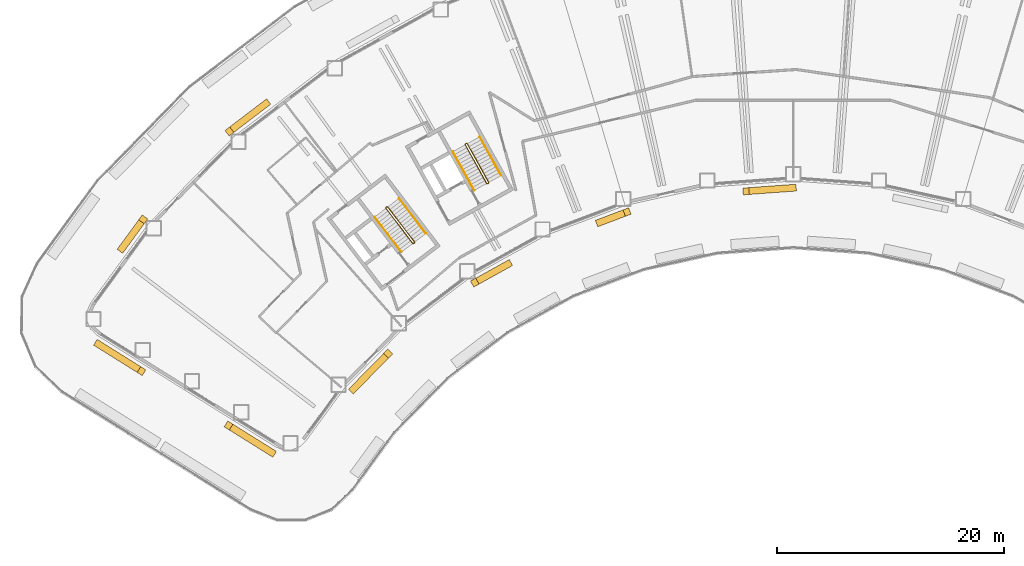
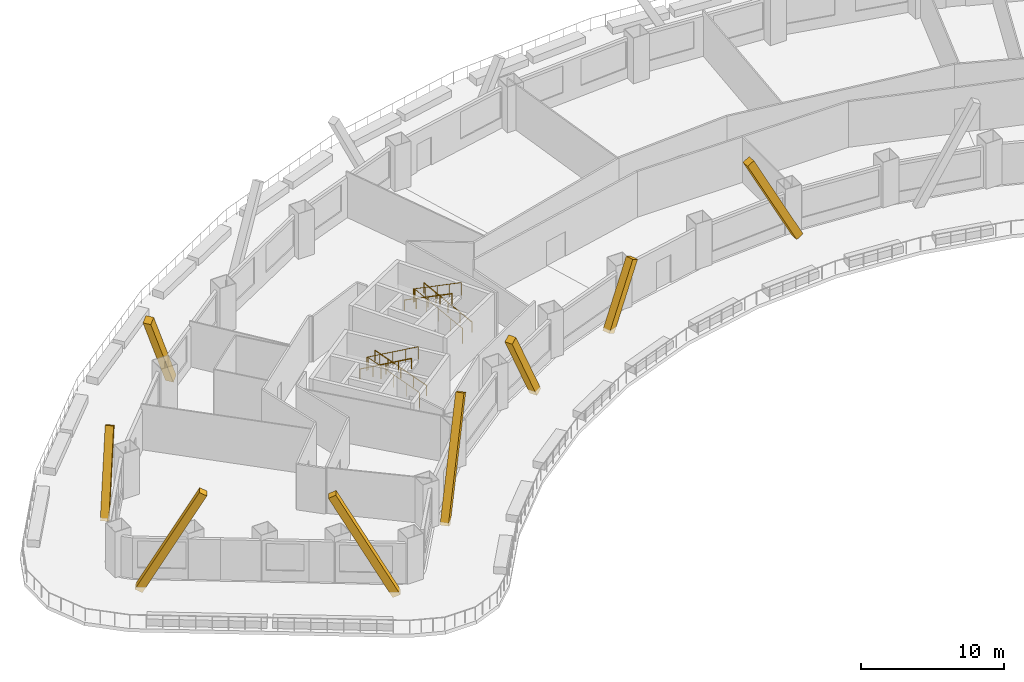
# One storey, part 10 of 12: 8 coverings, 6 railings.
"""IFC4 building model written with IfcOpenShell, lengths in metres."""

from ifc_helpers import new_model, si_unit, direction, frame, origin, origin_2d, place, context, subcontext, project, spatial, rectangle, circle, extrude, material, material_profile, profile_set, type_object, element, save


model = new_model("IFC4")

# Units and contexts
model_context = context("Model", 3, precision=1e-05, world=origin(), true_north=direction((0.0, 1.0)))
body_context = subcontext(model_context, "Body", "Model", "MODEL_VIEW")
ifc_project = project(units=[si_unit("LENGTHUNIT", "METRE"), si_unit("AREAUNIT", "SQUARE_METRE"), si_unit("VOLUMEUNIT", "CUBIC_METRE"), si_unit("PLANEANGLEUNIT", "RADIAN"), si_unit("MASSUNIT", "GRAM", prefix="KILO")], contexts=[model_context])

# Site, building, storey
site_placement = place(None, origin())
site = spatial("IfcSite", under=ifc_project, at=site_placement, CompositionType="ELEMENT")
building_placement = place(site_placement, origin())
building = spatial("IfcBuilding", under=site, at=building_placement, Name="Tuul Gate Civic Tower", CompositionType="ELEMENT")
storey_placement = place(building_placement, frame((0.0, 0.0, 31.5)))
storey = spatial("IfcBuildingStorey", under=building, at=storey_placement, Name="Level 06", CompositionType="ELEMENT", Elevation=31.5)

# Railings
ifc_material_1 = material(Name="Painted steel", Category="steel")
railing_type_1 = type_object("IfcRailingType", Name="Stair guard", PredefinedType="GUARDRAIL", material=ifc_material_1)
railing_1_placement = place(storey_placement, frame((-33.382080078125, -13.515380859375, 0.0)))
element("IfcRailing", 1, at=railing_1_placement, inside=storey, type_object=railing_type_1, Name="Level 06 ST-1 stair guard 1", PredefinedType="GUARDRAIL", context=body_context, shape_type="SweptSolid", body=[
    extrude(circle(Radius=0.02392578125, at=origin_2d()), frame((0.0, 0.0, 1.076171875), z_axis=(-0.795879841968, -0.605454603706, 0.0), x_axis=(0.605454603706, -0.795879841968, 0.0)), (0.0, 0.0, 1.0), 0.10009765625),
    extrude(circle(Radius=0.02392578125, at=origin_2d()), frame((-0.07958984375, -0.060546875, 1.076171875), z_axis=(0.408991890351, 0.599481263939, 0.688002796371), x_axis=(-0.826063974707, 0.563576356576, 0.0)), (0.0, 0.0, 1.0), 0.2177734375),
    extrude(circle(Radius=0.02392578125, at=origin_2d()), frame((0.009521484375, 0.070068359375, 1.22607421875), z_axis=(-0.541810893183, 0.711627203922, 0.44724454012), x_axis=(-0.795637165283, -0.60577347352, 0.0)), (0.0, 0.0, 1.0), 4.3603515625),
    extrude(circle(Radius=0.02392578125, at=origin_2d()), frame((-2.35302734375, 3.173095703125, 3.17626953125), z_axis=(-0.990893089246, 0.134650977284, 0.0), x_axis=(-0.134650977284, -0.990893089246, 0.0)), (0.0, 0.0, 1.0), 0.07080078125),
    extrude(circle(Radius=0.02392578125, at=origin_2d()), frame((-2.423095703125, 3.1826171875, 3.17626953125), z_axis=(-0.793802879778, -0.60817512943, 0.0), x_axis=(0.60817512943, -0.793802879778, 0.0)), (0.0, 0.0, 1.0), 0.099853515625),
    extrude(circle(Radius=0.02392578125, at=origin_2d()), frame((-2.50244140625, 3.121826171875, 3.17626953125), z_axis=(-0.057447065493, -0.422751481959, 0.904423031091), x_axis=(0.990893089246, -0.134650977284, 0.0)), (0.0, 0.0, 1.0), 0.165771484375),
    extrude(circle(Radius=0.02392578125, at=origin_2d()), frame((-2.511962890625, 3.0517578125, 3.326171875), z_axis=(0.541806494602, -0.71163897684, 0.447231136047), x_axis=(0.795644365679, 0.605764016233, 0.0)), (0.0, 0.0, 1.0), 4.360107421875),
    extrude(circle(Radius=0.02099609375, at=origin_2d()), origin(), (0.0, 0.0, 1.0), 1.052001953125),
    extrude(circle(Radius=0.02099609375, at=origin_2d()), frame((-0.07958984375, -0.060546875, 0.0)), (0.0, 0.0, 1.0), 1.052001953125),
    extrude(circle(Radius=0.02099609375, at=origin_2d()), frame((0.009521484375, 0.070068359375, 0.14990234375)), (0.0, 0.0, 1.0), 1.052001953125),
    extrude(circle(Radius=0.02099609375, at=origin_2d()), frame((-0.5810546875, 0.845703125, 0.637451171875)), (0.0, 0.0, 1.0), 1.052001953125),
    extrude(circle(Radius=0.02099609375, at=origin_2d()), frame((-1.171875, 1.62158203125, 1.125)), (0.0, 0.0, 1.0), 1.052001953125),
    extrude(circle(Radius=0.02099609375, at=origin_2d()), frame((-1.762451171875, 2.3974609375, 1.612548828125)), (0.0, 0.0, 1.0), 1.052001953125),
    extrude(circle(Radius=0.02099609375, at=origin_2d()), frame((-2.35302734375, 3.173095703125, 2.10009765625)), (0.0, 0.0, 1.0), 1.052001953125),
    extrude(circle(Radius=0.02099609375, at=origin_2d()), frame((-2.423095703125, 3.1826171875, 2.10009765625)), (0.0, 0.0, 1.0), 1.052001953125),
    extrude(circle(Radius=0.02099609375, at=origin_2d()), frame((-2.50244140625, 3.121826171875, 2.10009765625)), (0.0, 0.0, 1.0), 1.052001953125),
    extrude(circle(Radius=0.02099609375, at=origin_2d()), frame((-2.511962890625, 3.0517578125, 2.25)), (0.0, 0.0, 1.0), 1.052001953125),
    extrude(circle(Radius=0.02099609375, at=origin_2d()), frame((-1.92138671875, 2.276123046875, 2.737548828125)), (0.0, 0.0, 1.0), 1.052001953125),
    extrude(circle(Radius=0.02099609375, at=origin_2d()), frame((-1.330810546875, 1.50048828125, 3.22509765625)), (0.0, 0.0, 1.0), 1.052001953125),
    extrude(circle(Radius=0.02099609375, at=origin_2d()), frame((-0.740234375, 0.724609375, 3.71240234375)), (0.0, 0.0, 1.0), 1.052001953125),
    extrude(circle(Radius=0.02099609375, at=origin_2d()), frame((-0.149658203125, -0.051025390625, 4.199951171875)), (0.0, 0.0, 1.0), 1.052001953125),
])
railing_2_placement = place(storey_placement, frame((-26.857666015625, -8.247314453125, 0.0)))
element("IfcRailing", 2, at=railing_2_placement, inside=storey, type_object=railing_type_1, Name="Level 06 ST-2 stair guard 1", PredefinedType="GUARDRAIL", context=body_context, shape_type="SweptSolid", body=[
    extrude(circle(Radius=0.02392578125, at=origin_2d()), frame((0.0, 0.0, 1.076171875), z_axis=(-0.874616555828, -0.48481530532, 0.0), x_axis=(0.48481530532, -0.874616555828, 0.0)), (0.0, 0.0, 1.0), 0.10009765625),
    extrude(circle(Radius=0.02392578125, at=origin_2d()), frame((-0.087646484375, -0.048583984375, 1.076171875), z_axis=(0.49081399482, 0.534516610797, 0.688036056665), x_axis=(-0.736576986774, 0.676353711126, 0.0)), (0.0, 0.0, 1.0), 0.2177734375),
    extrude(circle(Radius=0.02392578125, at=origin_2d()), frame((0.019287109375, 0.06787109375, 1.22607421875), z_axis=(-0.433539057192, 0.782307594871, 0.447256875739), x_axis=(-0.874667644053, -0.484723129681, 0.0)), (0.0, 0.0, 1.0), 4.3603515625),
    extrude(circle(Radius=0.02392578125, at=origin_2d()), frame((-1.87109375, 3.47900390625, 3.17626953125), z_axis=(-0.961263487578, 0.275631107549, 0.0), x_axis=(-0.275631107549, -0.961263487578, 0.0)), (0.0, 0.0, 1.0), 0.07080078125),
    extrude(circle(Radius=0.02392578125, at=origin_2d()), frame((-1.939208984375, 3.49853515625, 3.17626953125), z_axis=(-0.874042088414, -0.485850211157, 0.0), x_axis=(0.485850211157, -0.874042088414, 0.0)), (0.0, 0.0, 1.0), 0.10009765625),
    extrude(circle(Radius=0.02392578125, at=origin_2d()), frame((-2.026611328125, 3.449951171875, 3.17626953125), z_axis=(-0.117866478395, -0.409586012422, 0.90462522168), x_axis=(0.961000426733, -0.276546885391, 0.0)), (0.0, 0.0, 1.0), 0.165771484375),
    extrude(circle(Radius=0.02392578125, at=origin_2d()), frame((-2.046142578125, 3.382080078125, 3.326171875), z_axis=(0.433595379963, -0.782308193291, 0.447201226726), x_axis=(0.874641102302, 0.484771020343, 0.0)), (0.0, 0.0, 1.0), 4.3603515625),
    extrude(circle(Radius=0.02099609375, at=origin_2d()), origin(), (0.0, 0.0, 1.0), 1.052001953125),
    extrude(circle(Radius=0.02099609375, at=origin_2d()), frame((-0.087646484375, -0.048583984375, 0.0)), (0.0, 0.0, 1.0), 1.052001953125),
    extrude(circle(Radius=0.02099609375, at=origin_2d()), frame((0.019287109375, 0.06787109375, 0.14990234375)), (0.0, 0.0, 1.0), 1.052001953125),
    extrude(circle(Radius=0.02099609375, at=origin_2d()), frame((-0.453369140625, 0.920654296875, 0.637451171875)), (0.0, 0.0, 1.0), 1.052001953125),
    extrude(circle(Radius=0.02099609375, at=origin_2d()), frame((-0.92578125, 1.7734375, 1.125)), (0.0, 0.0, 1.0), 1.052001953125),
    extrude(circle(Radius=0.02099609375, at=origin_2d()), frame((-1.3984375, 2.626220703125, 1.612548828125)), (0.0, 0.0, 1.0), 1.052001953125),
    extrude(circle(Radius=0.02099609375, at=origin_2d()), frame((-1.87109375, 3.47900390625, 2.10009765625)), (0.0, 0.0, 1.0), 1.052001953125),
    extrude(circle(Radius=0.02099609375, at=origin_2d()), frame((-1.939208984375, 3.49853515625, 2.10009765625)), (0.0, 0.0, 1.0), 1.052001953125),
    extrude(circle(Radius=0.02099609375, at=origin_2d()), frame((-2.026611328125, 3.449951171875, 2.10009765625)), (0.0, 0.0, 1.0), 1.052001953125),
    extrude(circle(Radius=0.02099609375, at=origin_2d()), frame((-2.046142578125, 3.382080078125, 2.25)), (0.0, 0.0, 1.0), 1.052001953125),
    extrude(circle(Radius=0.02099609375, at=origin_2d()), frame((-1.573486328125, 2.529296875, 2.737548828125)), (0.0, 0.0, 1.0), 1.052001953125),
    extrude(circle(Radius=0.02099609375, at=origin_2d()), frame((-1.100830078125, 1.676513671875, 3.22509765625)), (0.0, 0.0, 1.0), 1.052001953125),
    extrude(circle(Radius=0.02099609375, at=origin_2d()), frame((-0.628173828125, 0.82373046875, 3.71240234375)), (0.0, 0.0, 1.0), 1.052001953125),
    extrude(circle(Radius=0.02099609375, at=origin_2d()), frame((-0.155517578125, -0.029052734375, 4.199951171875)), (0.0, 0.0, 1.0), 1.052001953125),
])
ifc_material_2 = material(Name="Painted steel", Category="steel")
railing_type_2 = type_object("IfcRailingType", Name="Stair handrail", PredefinedType="HANDRAIL", material=ifc_material_2)
railing_3_placement = place(storey_placement, frame((-32.3779296875, -12.688232421875, 0.14990234375)))
element("IfcRailing", 3, at=railing_3_placement, inside=storey, type_object=railing_type_2, Name="Level 06 ST-1 stair handrail 1", PredefinedType="HANDRAIL", context=body_context, shape_type="SweptSolid", body=[
    extrude(circle(Radius=0.02392578125, at=origin_2d()), frame((0.0, 0.0, 0.8759765625), z_axis=(-0.541810893183, 0.711627203922, 0.44724454012), x_axis=(-0.795637165283, -0.60577347352, 0.0)), (0.0, 0.0, 1.0), 4.3603515625),
    extrude(circle(Radius=0.02099609375, at=origin_2d()), origin(), (0.0, 0.0, 1.0), 0.851806640625),
    extrude(circle(Radius=0.02099609375, at=origin_2d()), frame((-0.590576171875, 0.77587890625, 0.487548828125)), (0.0, 0.0, 1.0), 0.851806640625),
    extrude(circle(Radius=0.02099609375, at=origin_2d()), frame((-1.18115234375, 1.551513671875, 0.97509765625)), (0.0, 0.0, 1.0), 0.851806640625),
    extrude(circle(Radius=0.02099609375, at=origin_2d()), frame((-1.77197265625, 2.3271484375, 1.462646484375)), (0.0, 0.0, 1.0), 0.851806640625),
    extrude(circle(Radius=0.02099609375, at=origin_2d()), frame((-2.362548828125, 3.10302734375, 1.9501953125)), (0.0, 0.0, 1.0), 0.851806640625),
])
railing_4_placement = place(storey_placement, frame((-36.888671875, -11.220703125, 2.25)))
element("IfcRailing", 4, at=railing_4_placement, inside=storey, type_object=railing_type_2, Name="Level 06 ST-1 stair handrail 2", PredefinedType="HANDRAIL", context=body_context, shape_type="SweptSolid", body=[
    extrude(circle(Radius=0.02392578125, at=origin_2d()), frame((0.0, 0.0, 0.8759765625), z_axis=(0.541824460341, -0.711645023348, 0.447199748346), x_axis=(0.795637165283, 0.60577347352, 0.0)), (0.0, 0.0, 1.0), 4.3603515625),
    extrude(circle(Radius=0.02099609375, at=origin_2d()), origin(), (0.0, 0.0, 1.0), 0.851806640625),
    extrude(circle(Radius=0.02099609375, at=origin_2d()), frame((0.590576171875, -0.77587890625, 0.487548828125)), (0.0, 0.0, 1.0), 0.851806640625),
    extrude(circle(Radius=0.02099609375, at=origin_2d()), frame((1.18115234375, -1.551513671875, 0.97509765625)), (0.0, 0.0, 1.0), 0.851806640625),
    extrude(circle(Radius=0.02099609375, at=origin_2d()), frame((1.77197265625, -2.3271484375, 1.46240234375)), (0.0, 0.0, 1.0), 0.851806640625),
    extrude(circle(Radius=0.02099609375, at=origin_2d()), frame((2.362548828125, -3.10302734375, 1.949951171875)), (0.0, 0.0, 1.0), 0.851806640625),
])
railing_5_placement = place(storey_placement, frame((-25.744873046875, -7.573486328125, 0.14990234375)))
element("IfcRailing", 5, at=railing_5_placement, inside=storey, type_object=railing_type_2, Name="Level 06 ST-2 stair handrail 1", PredefinedType="HANDRAIL", context=body_context, shape_type="SweptSolid", body=[
    extrude(circle(Radius=0.02392578125, at=origin_2d()), frame((0.0, 0.0, 0.8759765625), z_axis=(-0.433584522764, 0.782288604346, 0.447246018574), x_axis=(-0.874641102302, -0.484771020343, 0.0)), (0.0, 0.0, 1.0), 4.3603515625),
    extrude(circle(Radius=0.02099609375, at=origin_2d()), origin(), (0.0, 0.0, 1.0), 0.851806640625),
    extrude(circle(Radius=0.02099609375, at=origin_2d()), frame((-0.47265625, 0.852783203125, 0.487548828125)), (0.0, 0.0, 1.0), 0.851806640625),
    extrude(circle(Radius=0.02099609375, at=origin_2d()), frame((-0.9453125, 1.70556640625, 0.97509765625)), (0.0, 0.0, 1.0), 0.851806640625),
    extrude(circle(Radius=0.02099609375, at=origin_2d()), frame((-1.41796875, 2.558349609375, 1.462646484375)), (0.0, 0.0, 1.0), 0.851806640625),
    extrude(circle(Radius=0.02099609375, at=origin_2d()), frame((-1.890625, 3.4111328125, 1.9501953125)), (0.0, 0.0, 1.0), 0.851806640625),
])
railing_6_placement = place(storey_placement, frame((-29.9970703125, -5.47119140625, 2.25)))
element("IfcRailing", 6, at=railing_6_placement, inside=storey, type_object=railing_type_2, Name="Level 06 ST-2 stair handrail 2", PredefinedType="HANDRAIL", context=body_context, shape_type="SweptSolid", body=[
    extrude(circle(Radius=0.02392578125, at=origin_2d()), frame((0.0, 0.0, 0.8759765625), z_axis=(0.433595379963, -0.782308193291, 0.447201226726), x_axis=(0.874641102302, 0.484771020343, 0.0)), (0.0, 0.0, 1.0), 4.3603515625),
    extrude(circle(Radius=0.02099609375, at=origin_2d()), origin(), (0.0, 0.0, 1.0), 0.851806640625),
    extrude(circle(Radius=0.02099609375, at=origin_2d()), frame((0.47265625, -0.852783203125, 0.487548828125)), (0.0, 0.0, 1.0), 0.851806640625),
    extrude(circle(Radius=0.02099609375, at=origin_2d()), frame((0.9453125, -1.70556640625, 0.97509765625)), (0.0, 0.0, 1.0), 0.851806640625),
    extrude(circle(Radius=0.02099609375, at=origin_2d()), frame((1.41796875, -2.558349609375, 1.46240234375)), (0.0, 0.0, 1.0), 0.851806640625),
    extrude(circle(Radius=0.02099609375, at=origin_2d()), frame((1.890625, -3.4111328125, 1.949951171875)), (0.0, 0.0, 1.0), 0.851806640625),
])

# Coverings
ifc_material_3 = material(Name="Terracotta baguette", Category="masonry")
ifc_material_profile = material_profile(ifc_material_3, rectangle(XDim=0.60009765625, YDim=0.60009765625, at=origin_2d()), Name="Terracotta baguette screen frame")
ifc_profile_set = profile_set([ifc_material_profile], Name="Terracotta baguette")
covering_type = type_object("IfcCoveringType", Name="Terracotta baguette screen frame", PredefinedType="CLADDING", material=ifc_profile_set)
covering_1_placement = place(storey_placement, frame((-49.693603515625, -3.690185546875, 7.22021484375), z_axis=(0.378034056947, 0.287852985563, -0.87990392117), x_axis=(-0.605812872991, 0.795607166206, 0.0)))
element("IfcCovering", 7, at=covering_1_placement, inside=storey, type_object=covering_type, Name="Baguette 116", PredefinedType="CLADDING", context=body_context, shape_type="SweptSolid", body=[
    extrude(rectangle(XDim=0.60009765625, YDim=0.60009765625, at=origin_2d()), origin(), (0.0, 0.0, 1.0), 8.603515625),
])
covering_2_placement = place(storey_placement, frame((-57.28955078125, -11.439697265625, 5.58544921875), z_axis=(-0.281354490497, -0.385249236185, -0.878875802771), x_axis=(0.807564638355, -0.58977907294, 0.0)))
element("IfcCovering", 8, at=covering_2_placement, inside=storey, type_object=covering_type, Name="Baguette 122", PredefinedType="CLADDING", context=body_context, shape_type="SweptSolid", body=[
    extrude(rectangle(XDim=0.60009765625, YDim=0.60009765625, at=origin_2d()), origin(), (0.0, 0.0, 1.0), 6.753662109375),
])
for number, where, z_axis, x_axis, name in (
    (9, (-57.4453125, -24.811767578125, 8.050048828125), (-0.402283964458, 0.251379504598, -0.880327187248), (-0.529926214669, -0.848043753002, 0.0), "Baguette 149"),
    (10, (-49.767578125, -29.609130859375, 8.050048828125), (0.402283964458, -0.251379504598, -0.880327187248), (0.529926214669, 0.848043753002, 0.0), "Baguette 153"),
):
    element("IfcCovering", number, at=place(storey_placement, frame(where, z_axis=z_axis, x_axis=x_axis)), inside=storey, type_object=covering_type, Name=name, PredefinedType="CLADDING", context=body_context, shape_type="SweptSolid", body=[
        extrude(rectangle(XDim=0.60009765625, YDim=0.60009765625, at=origin_2d()), origin(), (0.0, 0.0, 1.0), 9.5419921875),
    ])
covering_3_placement = place(storey_placement, frame((-35.70751953125, -23.27880859375, 8.050048828125), z_axis=(-0.326300155406, -0.332882727493, -0.884713116394), x_axis=(0.714132313758, -0.700010741665, 0.0)))
element("IfcCovering", 11, at=covering_3_placement, inside=storey, type_object=covering_type, Name="Baguette 180", PredefinedType="CLADDING", context=body_context, shape_type="SweptSolid", body=[
    extrude(rectangle(XDim=0.60009765625, YDim=0.60009765625, at=origin_2d()), origin(), (0.0, 0.0, 1.0), 9.494873046875),
])
covering_4_placement = place(storey_placement, frame((-28.06884765625, -17.0126953125, 6.062255859375), z_axis=(0.407705939366, 0.226016759182, -0.884698983595), x_axis=(-0.484845174212, 0.87459999831, 0.0)))
element("IfcCovering", 12, at=covering_4_placement, inside=storey, type_object=covering_type, Name="Baguette 187", PredefinedType="CLADDING", context=body_context, shape_type="SweptSolid", body=[
    extrude(rectangle(XDim=0.60009765625, YDim=0.60009765625, at=origin_2d()), origin(), (0.0, 0.0, 1.0), 7.248046875),
])
covering_5_placement = place(storey_placement, frame((-14.642578125, -10.792724609375, 4.594482421875), z_axis=(-0.436002270836, -0.164860491948, -0.884716360208), x_axis=(0.353679388764, -0.935366714163, 0.0)))
element("IfcCovering", 13, at=covering_5_placement, inside=storey, type_object=covering_type, Name="Baguette 205", PredefinedType="CLADDING", context=body_context, shape_type="SweptSolid", body=[
    extrude(rectangle(XDim=0.60009765625, YDim=0.60009765625, at=origin_2d()), origin(), (0.0, 0.0, 1.0), 5.5888671875),
])
covering_6_placement = place(storey_placement, frame((-4.152099609375, -8.961181640625, 8.050048828125), z_axis=(0.464923006881, 0.033624701503, -0.884712369712), x_axis=(-0.07213475166, 0.997394895517, 0.0)))
element("IfcCovering", 14, at=covering_6_placement, inside=storey, type_object=covering_type, Name="Baguette 212", PredefinedType="CLADDING", context=body_context, shape_type="SweptSolid", body=[
    extrude(rectangle(XDim=0.60009765625, YDim=0.60009765625, at=origin_2d()), origin(), (0.0, 0.0, 1.0), 8.9306640625),
])

save(model, "model.ifc")
